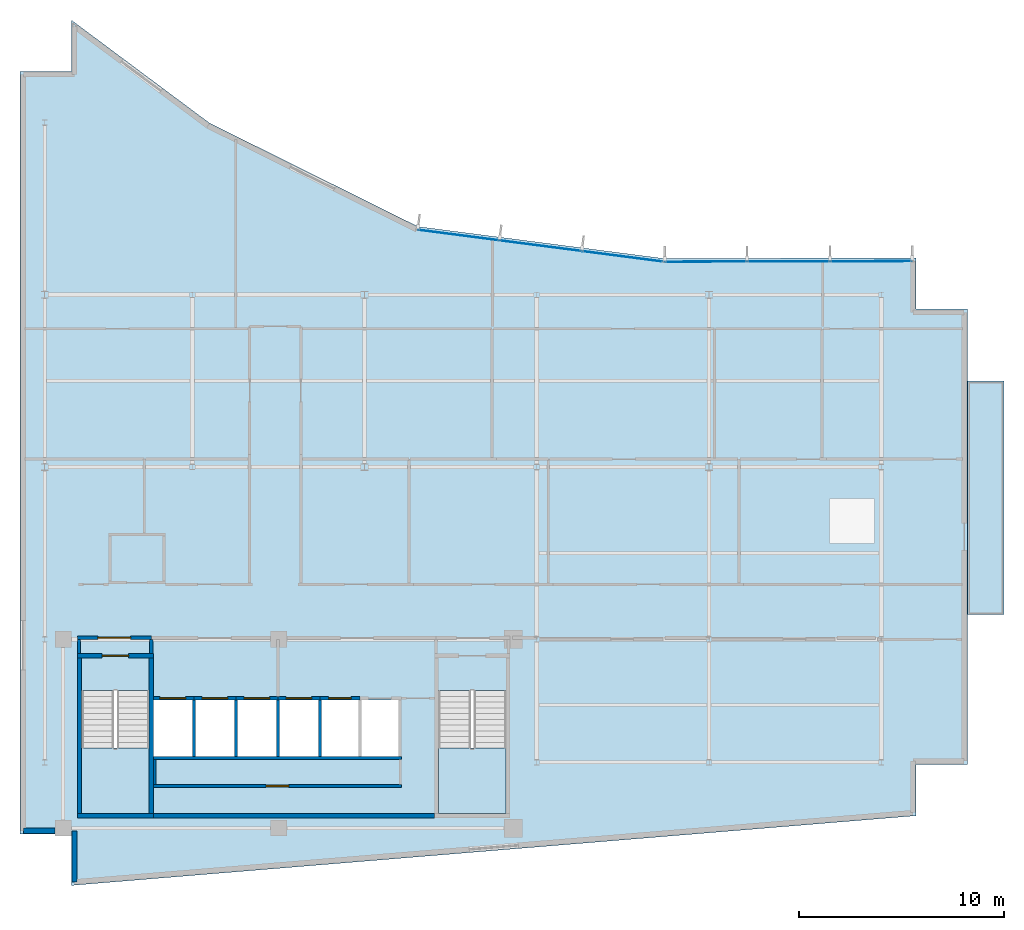
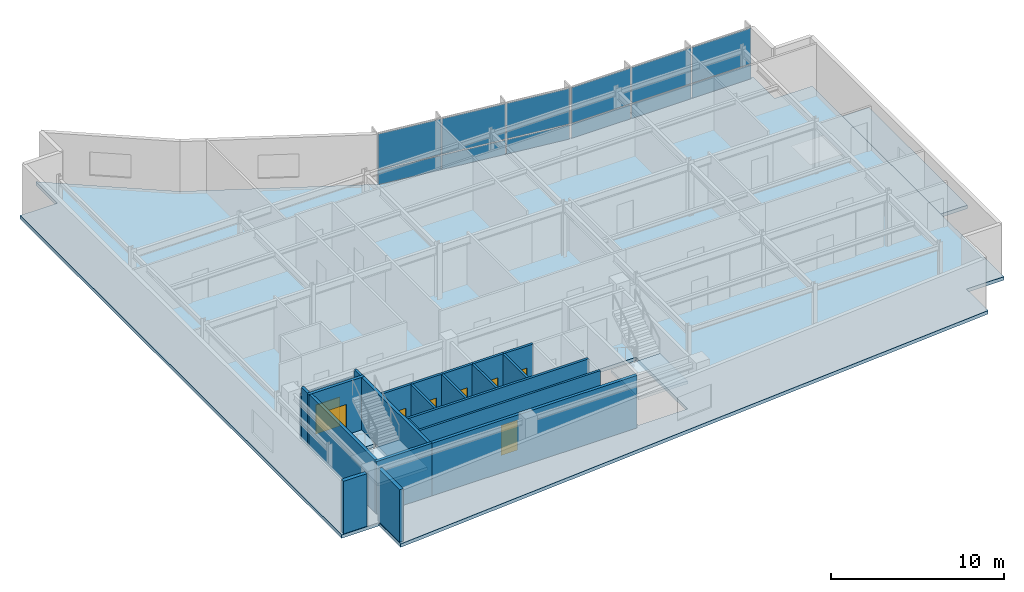
# One storey, part 9 of 15: 22 walls, 12 plates, 8 doors, 4 slabs, 8 openings, 4 elements without a shape of their own.
"""IFC4 building model written with IfcOpenShell, lengths in metres."""

from ifc_helpers import new_model, si_unit, direction, frame, frame_2d, origin, origin_2d, place, context, subcontext, project, spatial, polyline, rectangle, outline, extrude, material, layer, layer_set, type_object, element, fill, aggregate, save


model = new_model("IFC4")

# Units and contexts
model_context = context("Model", 3, precision=1e-05, world=origin(), true_north=direction((0.0, 1.0)))
body_context = subcontext(model_context, "Body", "Model", "MODEL_VIEW")
ifc_project = project(units=[si_unit("LENGTHUNIT", "METRE"), si_unit("AREAUNIT", "SQUARE_METRE"), si_unit("VOLUMEUNIT", "CUBIC_METRE"), si_unit("PLANEANGLEUNIT", "RADIAN"), si_unit("MASSUNIT", "GRAM", prefix="KILO")], contexts=[model_context])

# Site, building, storey
site_placement = place(None, origin())
site = spatial("IfcSite", under=ifc_project, at=site_placement, CompositionType="ELEMENT")
building_placement = place(site_placement, origin())
building = spatial("IfcBuilding", under=site, at=building_placement, Name="Varnakote Quay Hospital", CompositionType="ELEMENT")
storey_placement = place(building_placement, frame((0.0, 0.0, 248.64990234375)))
storey = spatial("IfcBuildingStorey", under=building, at=storey_placement, Name="L61", CompositionType="ELEMENT", Elevation=248.64990234375)

# Curtain wall, plates
ifc_material_1 = material(Name="Anodised aluminium 6063-T6 Bronze", Category="aluminium")
ifc_layer_1 = layer(ifc_material_1, 0.235107421875)
ifc_layer_set_1 = layer_set([ifc_layer_1], Name="Anodised aluminium 6063-T6 Bronze")
curtain_wall_type = type_object("IfcCurtainWallType", Name="CW-SYS-5", PredefinedType="NOTDEFINED", material=ifc_layer_set_1)
curtain_wall_1_placement = place(storey_placement, origin())
curtain_wall_1 = element("IfcCurtainWall", 1, at=curtain_wall_1_placement, inside=storey, type_object=curtain_wall_type, Name="L61 Unitised Bronze Curtain Wall 1", PredefinedType="NOTDEFINED")
ifc_material_2 = material(Name="Double-glazed low-E solar glass", Category="glass")
ifc_layer_2 = layer(ifc_material_2, 0.028076171875)
ifc_layer_set_2 = layer_set([ifc_layer_2], Name="Double-glazed low-E solar glass")
plate_type = type_object("IfcPlateType", Name="CW-PNL-GLZ-28", PredefinedType="CURTAIN_PANEL", material=ifc_layer_set_2)
plate_1_placement = place(storey_placement, frame((41.50146484375, 30.434326171875, 0.065185546875), z_axis=(0.0, 0.0, 1.0), x_axis=(-0.999996609008, -0.002604222224, 0.0)))
plate_1 = element("IfcPlate", 2, at=plate_1_placement, type_object=plate_type, Name="-5-L61-1 panel 1.1", PredefinedType="CURTAIN_PANEL", context=body_context, shape_type="SweptSolid", body=[
    extrude(rectangle(XDim=3.947265625, YDim=0.028076171875, at=origin_2d()), origin(), (0.0, 0.0, 1.0), 1.00244140625),
])
plate_2_placement = place(storey_placement, frame((41.50146484375, 30.434326171875, 1.1328125), z_axis=(0.0, 0.0, 1.0), x_axis=(-0.999996609008, -0.002604222224, 0.0)))
plate_2 = element("IfcPlate", 3, at=plate_2_placement, type_object=plate_type, Name="-5-L61-1 panel 1.2", PredefinedType="CURTAIN_PANEL", context=body_context, shape_type="SweptSolid", body=[
    extrude(rectangle(XDim=3.947265625, YDim=0.028076171875, at=origin_2d()), origin(), (0.0, 0.0, 1.0), 2.512451171875),
])
plate_3_placement = place(storey_placement, frame((37.472900390625, 30.423828125, 0.065185546875), z_axis=(0.0, 0.0, 1.0), x_axis=(-0.999996609008, -0.002604222224, 0.0)))
plate_3 = element("IfcPlate", 4, at=plate_3_placement, type_object=plate_type, Name="-5-L61-1 panel 2.1", PredefinedType="CURTAIN_PANEL", context=body_context, shape_type="SweptSolid", body=[
    extrude(rectangle(XDim=3.979736328125, YDim=0.028076171875, at=origin_2d()), origin(), (0.0, 0.0, 1.0), 1.00244140625),
])
plate_4_placement = place(storey_placement, frame((37.472900390625, 30.423828125, 1.1328125), z_axis=(0.0, 0.0, 1.0), x_axis=(-0.999996609008, -0.002604222224, 0.0)))
plate_4 = element("IfcPlate", 5, at=plate_4_placement, type_object=plate_type, Name="-5-L61-1 panel 2.2", PredefinedType="CURTAIN_PANEL", context=body_context, shape_type="SweptSolid", body=[
    extrude(rectangle(XDim=3.979736328125, YDim=0.028076171875, at=origin_2d()), origin(), (0.0, 0.0, 1.0), 2.512451171875),
])
plate_5_placement = place(storey_placement, frame((33.444580078125, 30.413330078125, 0.065185546875), z_axis=(0.0, 0.0, 1.0), x_axis=(-0.999996609008, -0.002604222224, 0.0)))
plate_5 = element("IfcPlate", 6, at=plate_5_placement, type_object=plate_type, Name="-5-L61-1 panel 3.1", PredefinedType="CURTAIN_PANEL", context=body_context, shape_type="SweptSolid", body=[
    extrude(rectangle(XDim=3.947265625, YDim=0.028076171875, at=origin_2d()), origin(), (0.0, 0.0, 1.0), 1.00244140625),
])
plate_6_placement = place(storey_placement, frame((33.444580078125, 30.413330078125, 1.1328125), z_axis=(0.0, 0.0, 1.0), x_axis=(-0.999996609008, -0.002604222224, 0.0)))
plate_6 = element("IfcPlate", 7, at=plate_6_placement, type_object=plate_type, Name="-5-L61-1 panel 3.2", PredefinedType="CURTAIN_PANEL", context=body_context, shape_type="SweptSolid", body=[
    extrude(rectangle(XDim=3.947265625, YDim=0.028076171875, at=origin_2d()), origin(), (0.0, 0.0, 1.0), 2.512451171875),
])
aggregate(curtain_wall_1, [plate_1, plate_2, plate_3, plate_4, plate_5, plate_6])

curtain_wall_2_placement = place(storey_placement, origin())
curtain_wall_2 = element("IfcCurtainWall", 8, at=curtain_wall_2_placement, inside=storey, type_object=curtain_wall_type, Name="L61 Unitised Bronze Curtain Wall 2", PredefinedType="NOTDEFINED")
plate_7_placement = place(storey_placement, frame((29.381591796875, 30.6708984375, 0.065185546875), z_axis=(0.0, 0.0, 1.0), x_axis=(-0.99167226464, 0.128787109389, 0.0)))
plate_7 = element("IfcPlate", 9, at=plate_7_placement, type_object=plate_type, Name="-5-L61-2 panel 1.1", PredefinedType="CURTAIN_PANEL", context=body_context, shape_type="SweptSolid", body=[
    extrude(rectangle(XDim=3.95263671875, YDim=0.028076171875, at=origin_2d()), origin(), (0.0, 0.0, 1.0), 1.00244140625),
])
plate_8_placement = place(storey_placement, frame((29.381591796875, 30.6708984375, 1.1328125), z_axis=(0.0, 0.0, 1.0), x_axis=(-0.99167226464, 0.128787109389, 0.0)))
plate_8 = element("IfcPlate", 10, at=plate_8_placement, type_object=plate_type, Name="-5-L61-2 panel 1.2", PredefinedType="CURTAIN_PANEL", context=body_context, shape_type="SweptSolid", body=[
    extrude(rectangle(XDim=3.95263671875, YDim=0.028076171875, at=origin_2d()), origin(), (0.0, 0.0, 1.0), 2.512451171875),
])
plate_9_placement = place(storey_placement, frame((25.38134765625, 31.1904296875, 0.065185546875), z_axis=(0.0, 0.0, 1.0), x_axis=(-0.99167226464, 0.128787109389, 0.0)))
plate_9 = element("IfcPlate", 11, at=plate_9_placement, type_object=plate_type, Name="-5-L61-2 panel 2.1", PredefinedType="CURTAIN_PANEL", context=body_context, shape_type="SweptSolid", body=[
    extrude(rectangle(XDim=3.985107421875, YDim=0.028076171875, at=origin_2d()), origin(), (0.0, 0.0, 1.0), 1.00244140625),
])
plate_10_placement = place(storey_placement, frame((25.38134765625, 31.1904296875, 1.1328125), z_axis=(0.0, 0.0, 1.0), x_axis=(-0.99167226464, 0.128787109389, 0.0)))
plate_10 = element("IfcPlate", 12, at=plate_10_placement, type_object=plate_type, Name="-5-L61-2 panel 2.2", PredefinedType="CURTAIN_PANEL", context=body_context, shape_type="SweptSolid", body=[
    extrude(rectangle(XDim=3.985107421875, YDim=0.028076171875, at=origin_2d()), origin(), (0.0, 0.0, 1.0), 2.512451171875),
])
plate_11_placement = place(storey_placement, frame((21.381103515625, 31.7099609375, 0.065185546875), z_axis=(0.0, 0.0, 1.0), x_axis=(-0.99167226464, 0.128787109389, 0.0)))
plate_11 = element("IfcPlate", 13, at=plate_11_placement, type_object=plate_type, Name="-5-L61-2 panel 3.1", PredefinedType="CURTAIN_PANEL", context=body_context, shape_type="SweptSolid", body=[
    extrude(rectangle(XDim=3.95263671875, YDim=0.028076171875, at=origin_2d()), origin(), (0.0, 0.0, 1.0), 1.00244140625),
])
plate_12_placement = place(storey_placement, frame((21.381103515625, 31.7099609375, 1.1328125), z_axis=(0.0, 0.0, 1.0), x_axis=(-0.99167226464, 0.128787109389, 0.0)))
plate_12 = element("IfcPlate", 14, at=plate_12_placement, type_object=plate_type, Name="-5-L61-2 panel 3.2", PredefinedType="CURTAIN_PANEL", context=body_context, shape_type="SweptSolid", body=[
    extrude(rectangle(XDim=3.95263671875, YDim=0.028076171875, at=origin_2d()), origin(), (0.0, 0.0, 1.0), 2.512451171875),
])
aggregate(curtain_wall_2, [plate_7, plate_8, plate_9, plate_10, plate_11, plate_12])

# Stair, slab
ifc_material_3 = material(Name="Concrete N40 (f'c 40 MPa)", Category="concrete")
stair_type = type_object("IfcStairType", Name="STR-CORE-1580", PredefinedType="HALF_TURN_STAIR", material=ifc_material_3)
stair_1_placement = place(storey_placement, origin())
stair_1 = element("IfcStair", 15, at=stair_1_placement, inside=storey, type_object=stair_type, Name="L61 Fire-Isolated Exit Stair ST-01", PredefinedType="HALF_TURN_STAIR")
ifc_material_4 = material(Name="Concrete N40 (f'c 40 MPa)", Category="concrete")
ifc_layer_3 = layer(ifc_material_4, 0.199951171875)
ifc_layer_set_3 = layer_set([ifc_layer_3], Name="Concrete N40 (f'c 40 MPa)")
slab_type_1 = type_object("IfcSlabType", Name="SLB-STAIR-LND-200", PredefinedType="LANDING", material=ifc_layer_set_3)
slab_1_placement = place(storey_placement, frame((0.0, 0.0, 1.775146484375)))
slab_1 = element("IfcSlab", 16, at=slab_1_placement, type_object=slab_type_1, Name="ST-01 landing 1", PredefinedType="LANDING", context=body_context, shape_type="SweptSolid", body=[
    extrude(outline(polyline([(3.0, 6.699951171875), (3.0, 3.5), (6.300048828125, 3.5), (6.300048828125, 6.699951171875), (3.0, 6.699951171875)])), origin(), (0.0, 0.0, 1.0), 0.199951171875),
])
aggregate(stair_1, [slab_1])

stair_2_placement = place(storey_placement, origin())
stair_2 = element("IfcStair", 17, at=stair_2_placement, inside=storey, type_object=stair_type, Name="L61 Fire-Isolated Exit Stair ST-02", PredefinedType="HALF_TURN_STAIR")
slab_2_placement = place(storey_placement, frame((0.0, 0.0, 1.775146484375)))
slab_2 = element("IfcSlab", 18, at=slab_2_placement, type_object=slab_type_1, Name="ST-02 landing 1", PredefinedType="LANDING", context=body_context, shape_type="SweptSolid", body=[
    extrude(outline(polyline([(20.39990234375, 6.699951171875), (20.39990234375, 3.5), (23.699951171875, 3.5), (23.699951171875, 6.699951171875), (20.39990234375, 6.699951171875)])), origin(), (0.0, 0.0, 1.0), 0.199951171875),
])
aggregate(stair_2, [slab_2])

# Slabs
ifc_material_5 = material(Name="Concrete N50 (f'c 50 MPa)", Category="concrete")
ifc_layer_4 = layer(ifc_material_5, 0.239990234375)
ifc_layer_set_4 = layer_set([ifc_layer_4], Name="Concrete N50 (f'c 50 MPa)")
slab_type_2 = type_object("IfcSlabType", Name="SLB-TERR-200", PredefinedType="FLOOR", material=ifc_layer_set_4)
slab_3_placement = place(storey_placement, frame((0.0, 0.0, -0.239990234375)))
element("IfcSlab", 19, at=slab_3_placement, inside=storey, type_object=slab_type_2, Name="L61 Waterfront Healing Terrace Slab", PredefinedType="FLOOR", context=body_context, shape_type="SweptSolid", body=[
    extrude(outline(polyline([(46.196044921875, 24.60009765625), (46.196044921875, 13.199951171875), (47.97998046875, 13.199951171875), (47.97998046875, 24.60009765625), (46.196044921875, 24.60009765625)])), origin(), (0.0, 0.0, 1.0), 0.239990234375),
])
ifc_material_6 = material(Name="Concrete N50 (f'c 50 MPa)", Category="concrete")
ifc_layer_5 = layer(ifc_material_6, 0.239990234375)
ifc_layer_set_5 = layer_set([ifc_layer_5], Name="Concrete N50 (f'c 50 MPa)")
slab_type_3 = type_object("IfcSlabType", Name="SLB-WARD-200", PredefinedType="FLOOR", material=ifc_layer_set_5)
slab_4_placement = place(storey_placement, frame((0.0, 0.0, -0.239990234375)))
element("IfcSlab", 20, at=slab_4_placement, inside=storey, type_object=slab_type_3, Name="L61 Primary Floor Slab", PredefinedType="FLOOR", context=body_context, shape_type="SweptSolid", body=[
    extrude(outline(polyline([(0.0, 2.5), (2.5, 2.5), (2.5, 0.0), (43.699951171875, 3.39990234375), (43.699951171875, 5.89990234375), (46.199951171875, 5.89990234375), (46.199951171875, 28.10009765625), (43.699951171875, 28.10009765625), (43.699951171875, 30.60009765625), (31.416015625, 30.568115234375), (19.404052734375, 32.1279296875), (9.239990234375, 37.176025390625), (2.5, 42.199951171875), (2.5, 39.699951171875), (0.0, 39.699951171875), (0.0, 2.5)]), holes=[polyline([(3.0, 3.5), (6.300048828125, 3.5), (6.300048828125, 9.49951171875), (3.0, 9.49951171875), (3.0, 3.5)]), polyline([(20.39990234375, 3.5), (23.699951171875, 3.5), (23.699951171875, 9.49951171875), (20.39990234375, 9.49951171875), (20.39990234375, 3.5)]), polyline([(6.5, 6.300048828125), (8.39990234375, 6.300048828125), (8.39990234375, 9.050048828125), (6.5, 9.050048828125), (6.5, 6.300048828125)]), polyline([(8.550048828125, 6.300048828125), (10.449951171875, 6.300048828125), (10.449951171875, 9.050048828125), (8.550048828125, 9.050048828125), (8.550048828125, 6.300048828125)]), polyline([(10.60009765625, 6.300048828125), (12.5, 6.300048828125), (12.5, 9.050048828125), (10.60009765625, 9.050048828125), (10.60009765625, 6.300048828125)]), polyline([(12.64990234375, 6.300048828125), (14.550048828125, 6.300048828125), (14.550048828125, 9.050048828125), (12.64990234375, 9.050048828125), (12.64990234375, 6.300048828125)]), polyline([(14.699951171875, 6.300048828125), (16.5, 6.300048828125), (16.5, 9.050048828125), (14.699951171875, 9.050048828125), (14.699951171875, 6.300048828125)]), polyline([(16.64990234375, 6.300048828125), (18.449951171875, 6.300048828125), (18.449951171875, 9.050048828125), (16.64990234375, 9.050048828125), (16.64990234375, 6.300048828125)])]), origin(), (0.0, 0.0, 1.0), 0.239990234375),
])

# Wall
ifc_material_7 = material(Name="Fire-rated acoustic gypsum stud wall", Category="gypsum")
ifc_layer_6 = layer(ifc_material_7, 0.159912109375)
ifc_layer_set_6 = layer_set([ifc_layer_6], Name="Fire-rated acoustic gypsum stud wall")
wall_type_1 = type_object("IfcWallType", Name="WL-COMP-160", PredefinedType="PARTITIONING", material=ifc_layer_set_6)
wall_1_placement = place(storey_placement, frame((2.8798828125, 11.300048828125, 0.0), z_axis=(0.0, 0.0, 1.0), x_axis=(0.0, 1.0, 0.0)))
element("IfcWall", 21, at=wall_1_placement, inside=storey, type_object=wall_type_1, Name="L61 West Stair Vestibule West Wall", PredefinedType="PARTITIONING", context=body_context, shape_type="SweptSolid", body=[
    extrude(rectangle(XDim=0.699951171875, YDim=0.159912109375, at=frame_2d((0.35009765625, 0.0))), origin(), (0.0, 0.0, 1.0), 3.710205078125),
])

# Wall, opening, door
wall_2_placement = place(storey_placement, frame((2.800048828125, 12.080078125, 0.0), z_axis=(0.0, 0.0, 1.0), x_axis=(1.0, 0.0, 0.0)))
wall_2 = element("IfcWall", 22, at=wall_2_placement, inside=storey, type_object=wall_type_1, Name="L61 West Stair Vestibule Smoke Wall", PredefinedType="PARTITIONING", context=body_context, shape_type="SweptSolid", body=[
    extrude(rectangle(XDim=3.599853515625, YDim=0.159912109375, at=frame_2d((1.7998046875, 0.0))), origin(), (0.0, 0.0, 1.0), 3.156982421875),
])
opening_1_placement = place(wall_2_placement, frame((1.0, 0.0, 0.0)))
opening_1 = element("IfcOpeningElement", 23, at=opening_1_placement, cuts=wall_2, Name="Opening D-ST1L-L61", PredefinedType="OPENING", context=body_context, shape_type="SweptSolid", body=[
    extrude(rectangle(XDim=1.60009765625, YDim=2.050048828125, at=frame_2d((0.800048828125, 1.02490234375))), frame((0.0, 0.08984375, 0.0), z_axis=(0.0, -1.0, 0.0), x_axis=(1.0, 0.0, 0.0)), (0.0, 0.0, 1.0), 0.179931640625),
])
ifc_material_8 = material(Name="Fire-rated double smoke lobby door")
door_type_1 = type_object("IfcDoorType", Name="DR-LOBBY-FD60S-1600x2150", OperationType="NOTDEFINED", PredefinedType="DOOR", material=ifc_material_8)
door_1_placement = place(opening_1_placement, origin())
door_1 = element("IfcDoor", 24, at=door_1_placement, inside=storey, type_object=door_type_1, Name="L61 West Stair Vestibule Smoke Door", OperationType="DOUBLE_DOOR_SINGLE_SWING", OverallHeight=2.050048828125, OverallWidth=1.60009765625, PredefinedType="DOOR", context=body_context, shape_type="SweptSolid", body=[
    extrude(rectangle(XDim=1.60009765625, YDim=2.050048828125, at=frame_2d((0.800048828125, 1.02490234375))), frame((0.0, 0.02490234375, 0.0), z_axis=(0.0, -1.0, 0.0), x_axis=(1.0, 0.0, 0.0)), (0.0, 0.0, 1.0), 0.050048828125),
])
fill(opening_1, door_1)

# Walls
wall_3_placement = place(storey_placement, frame((6.39990234375, 11.300048828125, 0.0), z_axis=(0.0, 0.0, 1.0), x_axis=(0.0, 1.0, 0.0)))
element("IfcWall", 25, at=wall_3_placement, inside=storey, type_object=wall_type_1, Name="L61 Firefighting Lobby West Wall", PredefinedType="PARTITIONING", context=body_context, shape_type="SweptSolid", body=[
    extrude(rectangle(XDim=0.699951171875, YDim=0.159912109375, at=frame_2d((0.35009765625, 0.0))), origin(), (0.0, 0.0, 1.0), 3.710205078125),
])
ifc_material_9 = material(Name="Concrete N50 (f'c 50 MPa)", Category="concrete")
ifc_layer_7 = layer(ifc_material_9, 0.199951171875)
ifc_layer_set_7 = layer_set([ifc_layer_7], Name="Concrete N50 (f'c 50 MPa)")
wall_type_2 = type_object("IfcWallType", Name="WL-CORE-N50-200", PredefinedType="SHEAR", material=ifc_layer_set_7)
wall_4_placement = place(storey_placement, frame((6.5, 3.39990234375, 0.0), z_axis=(0.0, 0.0, 1.0), x_axis=(1.0, 0.0, 0.0)))
element("IfcWall", 26, at=wall_4_placement, inside=storey, type_object=wall_type_2, Name="L61 Rear Core South Shear Wall", PredefinedType="SHEAR", context=body_context, shape_type="SweptSolid", body=[
    extrude(rectangle(XDim=13.699951171875, YDim=0.199951171875, at=frame_2d((6.85009765625, 0.0))), origin(), (0.0, 0.0, 1.0), 3.710205078125),
])
ifc_material_10 = material(Name="Precast concrete N50 (f'c 50 MPa)", Category="concrete")
ifc_layer_8 = layer(ifc_material_10, 0.260009765625)
ifc_layer_set_8 = layer_set([ifc_layer_8], Name="Precast concrete N50 (f'c 50 MPa)")
wall_type_3 = type_object("IfcWallType", Name="WL-EXT-BRICK-260", PredefinedType="STANDARD", material=ifc_layer_set_8)
wall_5_placement = place(storey_placement, frame((2.659912109375, 2.659912109375, 0.0), z_axis=(0.0, 0.0, 1.0), x_axis=(0.0, -1.0, 0.0)))
element("IfcWall", 27, at=wall_5_placement, inside=storey, type_object=wall_type_3, Name="L61 Brick-Faced Precast Exterior Wall", PredefinedType="STANDARD", context=body_context, shape_type="SweptSolid", body=[
    extrude(rectangle(XDim=2.486328125, YDim=0.260009765625, at=frame_2d((1.2431640625, 0.0))), origin(), (0.0, 0.0, 1.0), 3.710205078125),
])
wall_6_placement = place(storey_placement, frame((0.159912109375, 2.659912109375, 0.0), z_axis=(0.0, 0.0, 1.0), x_axis=(1.0, 0.0, 0.0)))
element("IfcWall", 28, at=wall_6_placement, inside=storey, type_object=wall_type_3, Name="L61 Brick-Faced Precast Exterior Wall", PredefinedType="STANDARD", context=body_context, shape_type="SweptSolid", body=[
    extrude(rectangle(XDim=1.55517578125, YDim=0.260009765625, at=frame_2d((0.777587890625, 0.0))), origin(), (0.0, 0.0, 1.0), 3.710205078125),
])
ifc_material_11 = material(Name="Concrete N50 (f'c 50 MPa)", Category="concrete")
ifc_layer_9 = layer(ifc_material_11, 0.14990234375)
ifc_layer_set_9 = layer_set([ifc_layer_9], Name="Concrete N50 (f'c 50 MPa)")
wall_type_4 = type_object("IfcWallType", Name="WL-SHAFT-N50-150", PredefinedType="SHEAR", material=ifc_layer_set_9)
for number, where, z_axis, x_axis, name in (
    (29, (8.47509765625, 6.300048828125, 0.0), (0.0, 0.0, 1.0), (0.0, 1.0, 0.0), "L61 LF-FF1 Hoistway Divider Wall"),
    (30, (10.52490234375, 6.300048828125, 0.0), (0.0, 0.0, 1.0), (0.0, 1.0, 0.0), "L61 LF-FF2 Hoistway Divider Wall"),
    (31, (12.574951171875, 6.300048828125, 0.0), (0.0, 0.0, 1.0), (0.0, 1.0, 0.0), "L61 LF-SV1 Hoistway Divider Wall"),
    (32, (14.625, 6.300048828125, 0.0), (0.0, 0.0, 1.0), (0.0, 1.0, 0.0), "L61 LF-SV2 Hoistway Divider Wall"),
):
    element("IfcWall", number, at=place(storey_placement, frame(where, z_axis=z_axis, x_axis=x_axis)), inside=storey, type_object=wall_type_4, Name=name, PredefinedType="SHEAR", context=body_context, shape_type="SweptSolid", body=[
        extrude(rectangle(XDim=2.75, YDim=0.14990234375, at=frame_2d((1.375, 0.0))), origin(), (0.0, 0.0, 1.0), 3.710205078125),
    ])
ifc_material_12 = material(Name="Concrete N50 (f'c 50 MPa)", Category="concrete")
ifc_layer_10 = layer(ifc_material_12, 0.159912109375)
ifc_layer_set_10 = layer_set([ifc_layer_10], Name="Concrete N50 (f'c 50 MPa)")
wall_type_5 = type_object("IfcWallType", Name="WL-SHAFT-N50-160", PredefinedType="SHEAR", material=ifc_layer_set_10)
wall_7_placement = place(storey_placement, frame((6.5, 6.219970703125, 0.0), z_axis=(0.0, 0.0, 1.0), x_axis=(1.0, 0.0, 0.0)))
element("IfcWall", 33, at=wall_7_placement, inside=storey, type_object=wall_type_5, Name="L61 REAR Lift Bank Back Shear Wall", PredefinedType="SHEAR", context=body_context, shape_type="SweptSolid", body=[
    extrude(rectangle(XDim=12.110107421875, YDim=0.159912109375, at=frame_2d((6.05517578125, 0.0))), origin(), (0.0, 0.0, 1.0), 3.710205078125),
])

# Wall, opening, door
wall_8_placement = place(storey_placement, frame((6.5, 9.1298828125, 0.0), z_axis=(0.0, 0.0, 1.0), x_axis=(1.0, 0.0, 0.0)))
wall_8 = element("IfcWall", 34, at=wall_8_placement, inside=storey, type_object=wall_type_5, Name="L61 LF-FF1 Hoistway Front Wall", PredefinedType="SHEAR", context=body_context, shape_type="SweptSolid", body=[
    extrude(rectangle(XDim=1.97509765625, YDim=0.159912109375, at=frame_2d((0.987548828125, 0.0))), origin(), (0.0, 0.0, 1.0), 3.710205078125),
])
opening_2_placement = place(wall_8_placement, frame((0.324951171875, 0.0, 0.0)))
opening_2 = element("IfcOpeningElement", 35, at=opening_2_placement, cuts=wall_8, Name="Opening LD-FF1-L61", PredefinedType="OPENING", context=body_context, shape_type="SweptSolid", body=[
    extrude(rectangle(XDim=1.25, YDim=2.14990234375, at=frame_2d((0.625, 1.074951171875))), frame((0.0, 0.08984375, 0.0), z_axis=(0.0, -1.0, 0.0), x_axis=(1.0, 0.0, 0.0)), (0.0, 0.0, 1.0), 0.179931640625),
])
ifc_material_13 = material(Name="Stainless steel lift landing sliding door", Category="steel")
door_type_2 = type_object("IfcDoorType", Name="DR-LIFT-LD-1250x2150", OperationType="NOTDEFINED", PredefinedType="DOOR", material=ifc_material_13)
door_2_placement = place(opening_2_placement, origin())
door_2 = element("IfcDoor", 36, at=door_2_placement, inside=storey, type_object=door_type_2, Name="L61 LF-FF1 Lift Landing Sliding Door", OperationType="SLIDING_TO_LEFT", OverallHeight=2.14990234375, OverallWidth=1.25, PredefinedType="DOOR", context=body_context, shape_type="SweptSolid", body=[
    extrude(rectangle(XDim=1.25, YDim=2.14990234375, at=frame_2d((0.625, 1.074951171875))), frame((0.0, 0.02490234375, 0.0), z_axis=(0.0, -1.0, 0.0), x_axis=(1.0, 0.0, 0.0)), (0.0, 0.0, 1.0), 0.050048828125),
])
fill(opening_2, door_2)

wall_9_placement = place(storey_placement, frame((8.47509765625, 9.1298828125, 0.0), z_axis=(0.0, 0.0, 1.0), x_axis=(1.0, 0.0, 0.0)))
wall_9 = element("IfcWall", 37, at=wall_9_placement, inside=storey, type_object=wall_type_5, Name="L61 LF-FF2 Hoistway Front Wall", PredefinedType="SHEAR", context=body_context, shape_type="SweptSolid", body=[
    extrude(rectangle(XDim=2.0498046875, YDim=0.159912109375, at=frame_2d((1.02490234375, 0.0))), origin(), (0.0, 0.0, 1.0), 3.710205078125),
])
opening_3_placement = place(wall_9_placement, frame((0.39990234375, 0.0, 0.0)))
opening_3 = element("IfcOpeningElement", 38, at=opening_3_placement, cuts=wall_9, Name="Opening LD-FF2-L61", PredefinedType="OPENING", context=body_context, shape_type="SweptSolid", body=[
    extrude(rectangle(XDim=1.25, YDim=2.14990234375, at=frame_2d((0.625, 1.074951171875))), frame((0.0, 0.08984375, 0.0), z_axis=(0.0, -1.0, 0.0), x_axis=(1.0, 0.0, 0.0)), (0.0, 0.0, 1.0), 0.179931640625),
])
door_3_placement = place(opening_3_placement, origin())
door_3 = element("IfcDoor", 39, at=door_3_placement, inside=storey, type_object=door_type_2, Name="L61 LF-FF2 Lift Landing Sliding Door", OperationType="SLIDING_TO_LEFT", OverallHeight=2.14990234375, OverallWidth=1.25, PredefinedType="DOOR", context=body_context, shape_type="SweptSolid", body=[
    extrude(rectangle(XDim=1.25, YDim=2.14990234375, at=frame_2d((0.625, 1.074951171875))), frame((0.0, 0.02490234375, 0.0), z_axis=(0.0, -1.0, 0.0), x_axis=(1.0, 0.0, 0.0)), (0.0, 0.0, 1.0), 0.050048828125),
])
fill(opening_3, door_3)

wall_10_placement = place(storey_placement, frame((10.52490234375, 9.1298828125, 0.0), z_axis=(0.0, 0.0, 1.0), x_axis=(1.0, 0.0, 0.0)))
wall_10 = element("IfcWall", 40, at=wall_10_placement, inside=storey, type_object=wall_type_5, Name="L61 LF-SV1 Hoistway Front Wall", PredefinedType="SHEAR", context=body_context, shape_type="SweptSolid", body=[
    extrude(rectangle(XDim=2.050048828125, YDim=0.159912109375, at=frame_2d((1.02490234375, 0.0))), origin(), (0.0, 0.0, 1.0), 3.710205078125),
])
opening_4_placement = place(wall_10_placement, frame((0.39990234375, 0.0, 0.0)))
opening_4 = element("IfcOpeningElement", 41, at=opening_4_placement, cuts=wall_10, Name="Opening LD-SV1-L61", PredefinedType="OPENING", context=body_context, shape_type="SweptSolid", body=[
    extrude(rectangle(XDim=1.25, YDim=2.14990234375, at=frame_2d((0.625, 1.074951171875))), frame((0.0, 0.08984375, 0.0), z_axis=(0.0, -1.0, 0.0), x_axis=(1.0, 0.0, 0.0)), (0.0, 0.0, 1.0), 0.179931640625),
])
door_4_placement = place(opening_4_placement, origin())
door_4 = element("IfcDoor", 42, at=door_4_placement, inside=storey, type_object=door_type_2, Name="L61 LF-SV1 Lift Landing Sliding Door", OperationType="SLIDING_TO_LEFT", OverallHeight=2.14990234375, OverallWidth=1.25, PredefinedType="DOOR", context=body_context, shape_type="SweptSolid", body=[
    extrude(rectangle(XDim=1.25, YDim=2.14990234375, at=frame_2d((0.625, 1.074951171875))), frame((0.0, 0.02490234375, 0.0), z_axis=(0.0, -1.0, 0.0), x_axis=(1.0, 0.0, 0.0)), (0.0, 0.0, 1.0), 0.050048828125),
])
fill(opening_4, door_4)

wall_11_placement = place(storey_placement, frame((12.574951171875, 9.1298828125, 0.0), z_axis=(0.0, 0.0, 1.0), x_axis=(1.0, 0.0, 0.0)))
wall_11 = element("IfcWall", 43, at=wall_11_placement, inside=storey, type_object=wall_type_5, Name="L61 LF-SV2 Hoistway Front Wall", PredefinedType="SHEAR", context=body_context, shape_type="SweptSolid", body=[
    extrude(rectangle(XDim=2.050048828125, YDim=0.159912109375, at=frame_2d((1.02490234375, 0.0))), origin(), (0.0, 0.0, 1.0), 3.710205078125),
])
opening_5_placement = place(wall_11_placement, frame((0.39990234375, 0.0, 0.0)))
opening_5 = element("IfcOpeningElement", 44, at=opening_5_placement, cuts=wall_11, Name="Opening LD-SV2-L61", PredefinedType="OPENING", context=body_context, shape_type="SweptSolid", body=[
    extrude(rectangle(XDim=1.25, YDim=2.14990234375, at=frame_2d((0.625, 1.074951171875))), frame((0.0, 0.08984375, 0.0), z_axis=(0.0, -1.0, 0.0), x_axis=(1.0, 0.0, 0.0)), (0.0, 0.0, 1.0), 0.179931640625),
])
door_5_placement = place(opening_5_placement, origin())
door_5 = element("IfcDoor", 45, at=door_5_placement, inside=storey, type_object=door_type_2, Name="L61 LF-SV2 Lift Landing Sliding Door", OperationType="SLIDING_TO_LEFT", OverallHeight=2.14990234375, OverallWidth=1.25, PredefinedType="DOOR", context=body_context, shape_type="SweptSolid", body=[
    extrude(rectangle(XDim=1.25, YDim=2.14990234375, at=frame_2d((0.625, 1.074951171875))), frame((0.0, 0.02490234375, 0.0), z_axis=(0.0, -1.0, 0.0), x_axis=(1.0, 0.0, 0.0)), (0.0, 0.0, 1.0), 0.050048828125),
])
fill(opening_5, door_5)

wall_12_placement = place(storey_placement, frame((14.625, 9.1298828125, 0.0), z_axis=(0.0, 0.0, 1.0), x_axis=(1.0, 0.0, 0.0)))
wall_12 = element("IfcWall", 46, at=wall_12_placement, inside=storey, type_object=wall_type_5, Name="L61 LF-PH1 Hoistway Front Wall", PredefinedType="SHEAR", context=body_context, shape_type="SweptSolid", body=[
    extrude(rectangle(XDim=1.949951171875, YDim=0.159912109375, at=frame_2d((0.97509765625, 0.0))), origin(), (0.0, 0.0, 1.0), 3.710205078125),
])
opening_6_placement = place(wall_12_placement, frame((0.425048828125, 0.0, 0.0)))
opening_6 = element("IfcOpeningElement", 47, at=opening_6_placement, cuts=wall_12, Name="Opening LD-PH1-L61", PredefinedType="OPENING", context=body_context, shape_type="SweptSolid", body=[
    extrude(rectangle(XDim=1.10009765625, YDim=2.14990234375, at=frame_2d((0.550048828125, 1.074951171875))), frame((0.0, 0.08984375, 0.0), z_axis=(0.0, -1.0, 0.0), x_axis=(1.0, 0.0, 0.0)), (0.0, 0.0, 1.0), 0.179931640625),
])
ifc_material_14 = material(Name="Brushed bronze lift landing sliding door")
door_type_3 = type_object("IfcDoorType", Name="DR-LIFT-LD-1100x2150", OperationType="NOTDEFINED", PredefinedType="DOOR", material=ifc_material_14)
door_6_placement = place(opening_6_placement, origin())
door_6 = element("IfcDoor", 48, at=door_6_placement, inside=storey, type_object=door_type_3, Name="L61 LF-PH1 Lift Landing Sliding Door", OperationType="SLIDING_TO_LEFT", OverallHeight=2.14990234375, OverallWidth=1.10009765625, PredefinedType="DOOR", context=body_context, shape_type="SweptSolid", body=[
    extrude(rectangle(XDim=1.10009765625, YDim=2.14990234375, at=frame_2d((0.550048828125, 1.074951171875))), frame((0.0, 0.02490234375, 0.0), z_axis=(0.0, -1.0, 0.0), x_axis=(1.0, 0.0, 0.0)), (0.0, 0.0, 1.0), 0.050048828125),
])
fill(opening_6, door_6)

# Walls
ifc_material_15 = material(Name="Concrete N50 (f'c 50 MPa)", Category="concrete")
ifc_layer_11 = layer(ifc_material_15, 0.199951171875)
ifc_layer_set_11 = layer_set([ifc_layer_11], Name="Concrete N50 (f'c 50 MPa)")
wall_type_6 = type_object("IfcWallType", Name="WL-SHAFT-N50-200", PredefinedType="SHEAR", material=ifc_layer_set_11)
wall_13_placement = place(storey_placement, frame((2.800048828125, 3.39990234375, 0.0), z_axis=(0.0, 0.0, 1.0), x_axis=(1.0, 0.0, 0.0)))
element("IfcWall", 49, at=wall_13_placement, inside=storey, type_object=wall_type_6, Name="L61 Stair ST1 South Shaft Wall", PredefinedType="SHEAR", context=body_context, shape_type="SweptSolid", body=[
    extrude(rectangle(XDim=3.699951171875, YDim=0.199951171875, at=frame_2d((1.85009765625, 0.0))), origin(), (0.0, 0.0, 1.0), 3.710205078125),
])
for number, where, z_axis, x_axis, name in (
    (50, (2.89990234375, 3.5, 0.0), (0.0, 0.0, 1.0), (0.0, 1.0, 0.0), "L61 Stair ST1 West Shaft Wall"),
    (51, (6.39990234375, 3.5, 0.0), (0.0, 0.0, 1.0), (0.0, 1.0, 0.0), "L61 Stair ST1 East Shaft Wall"),
):
    element("IfcWall", number, at=place(storey_placement, frame(where, z_axis=z_axis, x_axis=x_axis)), inside=storey, type_object=wall_type_6, Name=name, PredefinedType="SHEAR", context=body_context, shape_type="SweptSolid", body=[
        extrude(rectangle(XDim=7.60009765625, YDim=0.199951171875, at=frame_2d((3.800048828125, 0.0))), origin(), (0.0, 0.0, 1.0), 3.710205078125),
    ])

# Wall, opening, door
wall_14_placement = place(storey_placement, frame((2.800048828125, 11.199951171875, 0.0), z_axis=(0.0, 0.0, 1.0), x_axis=(1.0, 0.0, 0.0)))
wall_14 = element("IfcWall", 52, at=wall_14_placement, inside=storey, type_object=wall_type_6, Name="L61 Stair ST1 Exit Wall", PredefinedType="SHEAR", context=body_context, shape_type="SweptSolid", body=[
    extrude(rectangle(XDim=3.699951171875, YDim=0.199951171875, at=frame_2d((1.85009765625, 0.0))), origin(), (0.0, 0.0, 1.0), 3.710205078125),
])
opening_7_placement = place(wall_14_placement, frame((1.199951171875, 0.0, 0.0)))
opening_7 = element("IfcOpeningElement", 53, at=opening_7_placement, cuts=wall_14, Name="Opening D-ST1-L61", PredefinedType="OPENING", context=body_context, shape_type="SweptSolid", body=[
    extrude(rectangle(XDim=1.300048828125, YDim=2.14990234375, at=frame_2d((0.64990234375, 1.074951171875))), frame((0.0, 0.10986328125, 0.0), z_axis=(0.0, -1.0, 0.0), x_axis=(1.0, 0.0, 0.0)), (0.0, 0.0, 1.0), 0.219970703125),
])
ifc_material_16 = material(Name="Fire-rated ceramic-glazed timber exit door", Category="wood")
door_type_4 = type_object("IfcDoorType", Name="DR-STAIR-FD60S-1300x2150", OperationType="NOTDEFINED", PredefinedType="DOOR", material=ifc_material_16)
door_7_placement = place(opening_7_placement, origin())
door_7 = element("IfcDoor", 54, at=door_7_placement, inside=storey, type_object=door_type_4, Name="L61 Stair ST1 Fire Exit Door", OperationType="SINGLE_SWING_RIGHT", OverallHeight=2.14990234375, OverallWidth=1.300048828125, PredefinedType="DOOR", context=body_context, shape_type="SweptSolid", body=[
    extrude(rectangle(XDim=1.300048828125, YDim=2.14990234375, at=frame_2d((0.64990234375, 1.074951171875))), frame((0.0, 0.02490234375, 0.0), z_axis=(0.0, -1.0, 0.0), x_axis=(1.0, 0.0, 0.0)), (0.0, 0.0, 1.0), 0.050048828125),
])
fill(opening_7, door_7)

# Wall
ifc_material_17 = material(Name="Smoke-proof clinical partition", Category="gypsum")
ifc_layer_12 = layer(ifc_material_17, 0.1201171875)
ifc_layer_set_12 = layer_set([ifc_layer_12], Name="Smoke-proof clinical partition")
wall_type_7 = type_object("IfcWallType", Name="WL-SMOKE-120", PredefinedType="PARTITIONING", material=ifc_layer_set_12)
wall_15_placement = place(storey_placement, frame((6.56005859375, 4.919921875, 0.0), z_axis=(0.0, 0.0, 1.0), x_axis=(0.0, 1.0, 0.0)))
element("IfcWall", 55, at=wall_15_placement, inside=storey, type_object=wall_type_7, Name="L61 Core Service Strip West Wall", PredefinedType="PARTITIONING", context=body_context, shape_type="SweptSolid", body=[
    extrude(rectangle(XDim=1.219970703125, YDim=0.1201171875, at=frame_2d((0.60986328125, 0.0))), origin(), (0.0, 0.0, 1.0), 3.710205078125),
])

# Wall, opening, door
ifc_material_18 = material(Name="Fire-rated clinical gypsum partition", Category="gypsum")
ifc_layer_13 = layer(ifc_material_18, 0.139892578125)
ifc_layer_set_13 = layer_set([ifc_layer_13], Name="Fire-rated clinical gypsum partition")
wall_type_8 = type_object("IfcWallType", Name="WL-WARD-140", PredefinedType="PARTITIONING", material=ifc_layer_set_13)
wall_16_placement = place(storey_placement, frame((6.5, 4.85009765625, 0.0), z_axis=(0.0, 0.0, 1.0), x_axis=(1.0, 0.0, 0.0)))
wall_16 = element("IfcWall", 56, at=wall_16_placement, inside=storey, type_object=wall_type_8, Name="L61 Core Clean Linen Store South Wall", PredefinedType="PARTITIONING", context=body_context, shape_type="SweptSolid", body=[
    extrude(rectangle(XDim=12.10009765625, YDim=0.139892578125, at=frame_2d((6.050048828125, 0.0))), origin(), (0.0, 0.0, 1.0), 3.710205078125),
])
opening_8_placement = place(wall_16_placement, frame((5.5, 0.0, 0.0)))
opening_8 = element("IfcOpeningElement", 57, at=opening_8_placement, cuts=wall_16, Name="Opening D-L61-CR01", PredefinedType="OPENING", context=body_context, shape_type="SweptSolid", body=[
    extrude(rectangle(XDim=1.10009765625, YDim=2.10009765625, at=frame_2d((0.550048828125, 1.050048828125))), frame((0.0, 0.079833984375, 0.0), z_axis=(0.0, -1.0, 0.0), x_axis=(1.0, 0.0, 0.0)), (0.0, 0.0, 1.0), 0.159912109375),
])
ifc_material_19 = material(Name="Acoustic timber clinical consult door", Category="wood")
door_type_5 = type_object("IfcDoorType", Name="DR-CLIN-FD30S-1100x2100", OperationType="NOTDEFINED", PredefinedType="DOOR", material=ifc_material_19)
door_8_placement = place(opening_8_placement, origin())
door_8 = element("IfcDoor", 58, at=door_8_placement, inside=storey, type_object=door_type_5, Name="L61 Core Clean Linen Store Door", OperationType="SINGLE_SWING_RIGHT", OverallHeight=2.10009765625, OverallWidth=1.10009765625, PredefinedType="DOOR", context=body_context, shape_type="SweptSolid", body=[
    extrude(rectangle(XDim=1.10009765625, YDim=2.10009765625, at=frame_2d((0.550048828125, 1.050048828125))), frame((0.0, 0.02490234375, 0.0), z_axis=(0.0, -1.0, 0.0), x_axis=(1.0, 0.0, 0.0)), (0.0, 0.0, 1.0), 0.050048828125),
])
fill(opening_8, door_8)

save(model, "model.ifc")
